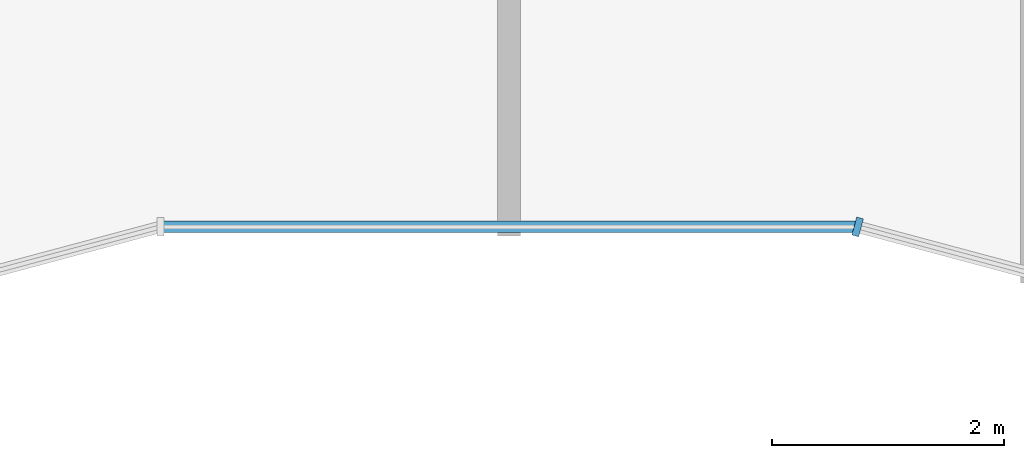
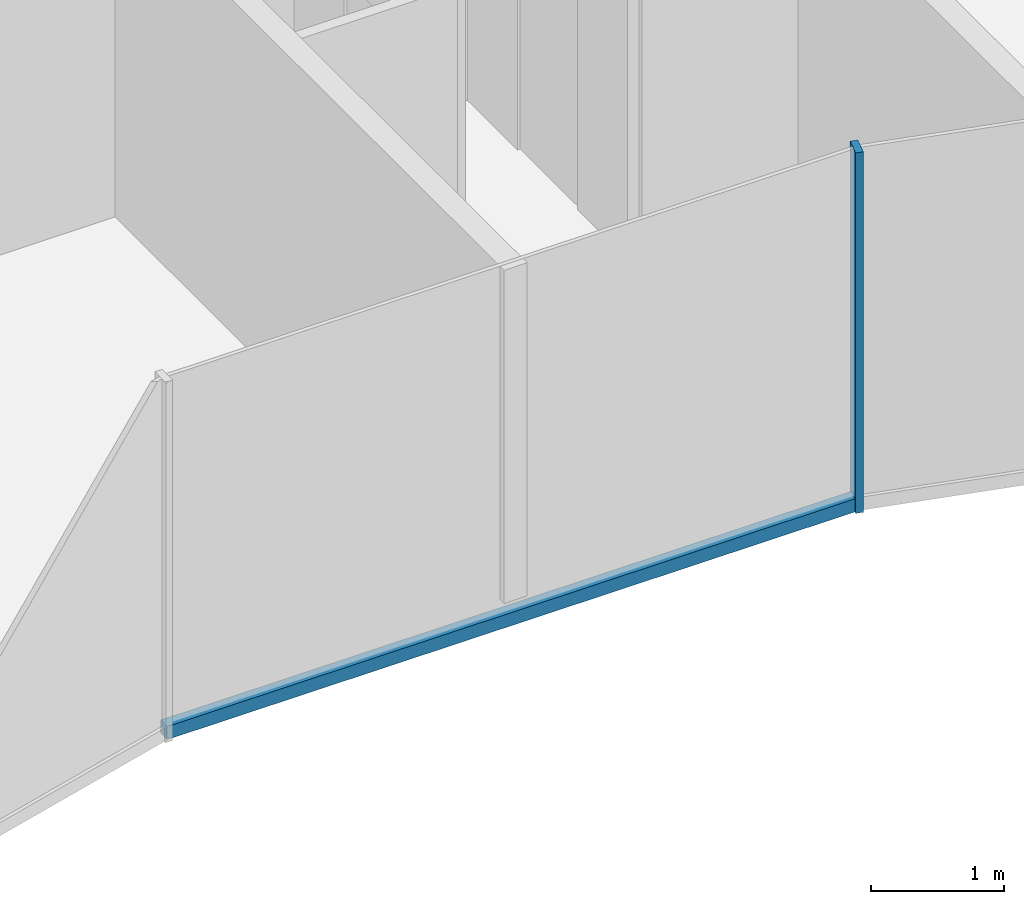
# One storey, part 3 of 17: 2 members, 2 elements without a shape of their own.
"""IFC4 building model written with IfcOpenShell, lengths in metres."""

from ifc_helpers import new_model, si_unit, direction, frame, origin, origin_2d, place, context, subcontext, project, spatial, rectangle, extrude, material, layer, layer_set, material_profile, profile_set, type_object, element, aggregate, save


model = new_model("IFC4")

# Units and contexts
model_context = context("Model", 3, precision=1e-05, world=origin(), true_north=direction((0.0, 1.0)))
body_context = subcontext(model_context, "Body", "Model", "MODEL_VIEW")
ifc_project = project(units=[si_unit("LENGTHUNIT", "METRE"), si_unit("AREAUNIT", "SQUARE_METRE"), si_unit("VOLUMEUNIT", "CUBIC_METRE"), si_unit("PLANEANGLEUNIT", "RADIAN"), si_unit("MASSUNIT", "GRAM", prefix="KILO")], contexts=[model_context])

# Site, building, storey
site_placement = place(None, origin())
site = spatial("IfcSite", under=ifc_project, at=site_placement, CompositionType="ELEMENT")
building_placement = place(site_placement, origin())
building = spatial("IfcBuilding", under=site, at=building_placement, Name="Plateau Cross Towers", CompositionType="ELEMENT")
storey_placement = place(building_placement, frame((0.0, 0.0, 225.89990234375)))
storey = spatial("IfcBuildingStorey", under=building, at=storey_placement, Name="L59", CompositionType="ELEMENT", Elevation=225.89990234375)

# Curtain wall, member
ifc_material_1 = material(Name="Dark low-iron glass", Category="glass")
ifc_layer = layer(ifc_material_1, 0.260009765625)
ifc_layer_set = layer_set([ifc_layer], Name="Dark low-iron glass")
curtain_wall_type = type_object("IfcCurtainWallType", Name="Curtain wall fluted unitised CW-A", PredefinedType="NOTDEFINED", material=ifc_layer_set)
curtain_wall_1_placement = place(storey_placement, origin())
curtain_wall_1 = element("IfcCurtainWall", 1, at=curtain_wall_1_placement, inside=storey, type_object=curtain_wall_type, Name="ENV/A/L59/A300_16", PredefinedType="NOTDEFINED")
ifc_material_2 = material(Name="Black anodised aluminium", Category="aluminium")
ifc_material_profile_1 = material_profile(ifc_material_2, rectangle(XDim=0.06005859375, YDim=0.159912109375, at=origin_2d()), Name="MULLION 60x160")
ifc_profile_set_1 = profile_set([ifc_material_profile_1], Name="Black anodised aluminium")
member_type_1 = type_object("IfcMemberType", Name="Mullion 60x160 fluted unitised", PredefinedType="MULLION", material=ifc_profile_set_1)
member_1_placement = place(storey_placement, frame((30.0, 1.60693359375, -0.25), z_axis=(0.0, 0.0, 1.0), x_axis=(0.965957983404, -0.258699003279, 0.0)))
member_1 = element("IfcMember", 2, at=member_1_placement, type_object=member_type_1, Name="CW-A mullion 1", PredefinedType="MULLION", context=body_context, shape_type="SweptSolid", body=[
    extrude(rectangle(XDim=0.06005859375, YDim=0.159912109375, at=origin_2d()), origin(), (0.0, 0.0, 1.0), 3.300048828125),
])
aggregate(curtain_wall_1, [member_1])

curtain_wall_2_placement = place(storey_placement, origin())
curtain_wall_2 = element("IfcCurtainWall", 3, at=curtain_wall_2_placement, inside=storey, type_object=curtain_wall_type, Name="ENV/A/L59/A240_16", PredefinedType="NOTDEFINED")
ifc_material_profile_2 = material_profile(ifc_material_2, rectangle(XDim=0.10009765625, YDim=0.1201171875, at=origin_2d()), Name="TRANSOM 100x120")
ifc_profile_set_2 = profile_set([ifc_material_profile_2], Name="Black anodised aluminium")
member_type_2 = type_object("IfcMemberType", Name="Transom 100x120 fluted unitised", PredefinedType="USERDEFINED", material=ifc_profile_set_2)
member_2_placement = place(storey_placement, frame((24.0, 1.60693359375, -0.18994140625), z_axis=(1.0, 0.0, 0.0), x_axis=(0.0, 1.0, 0.0)))
member_2 = element("IfcMember", 4, at=member_2_placement, type_object=member_type_2, Name="CW-A transom", ObjectType="TRANSOM", PredefinedType="USERDEFINED", context=body_context, shape_type="SweptSolid", body=[
    extrude(rectangle(XDim=0.10009765625, YDim=0.1201171875, at=origin_2d()), origin(), (0.0, 0.0, 1.0), 6.0),
])
aggregate(curtain_wall_2, [member_2])

save(model, "model.ifc")
